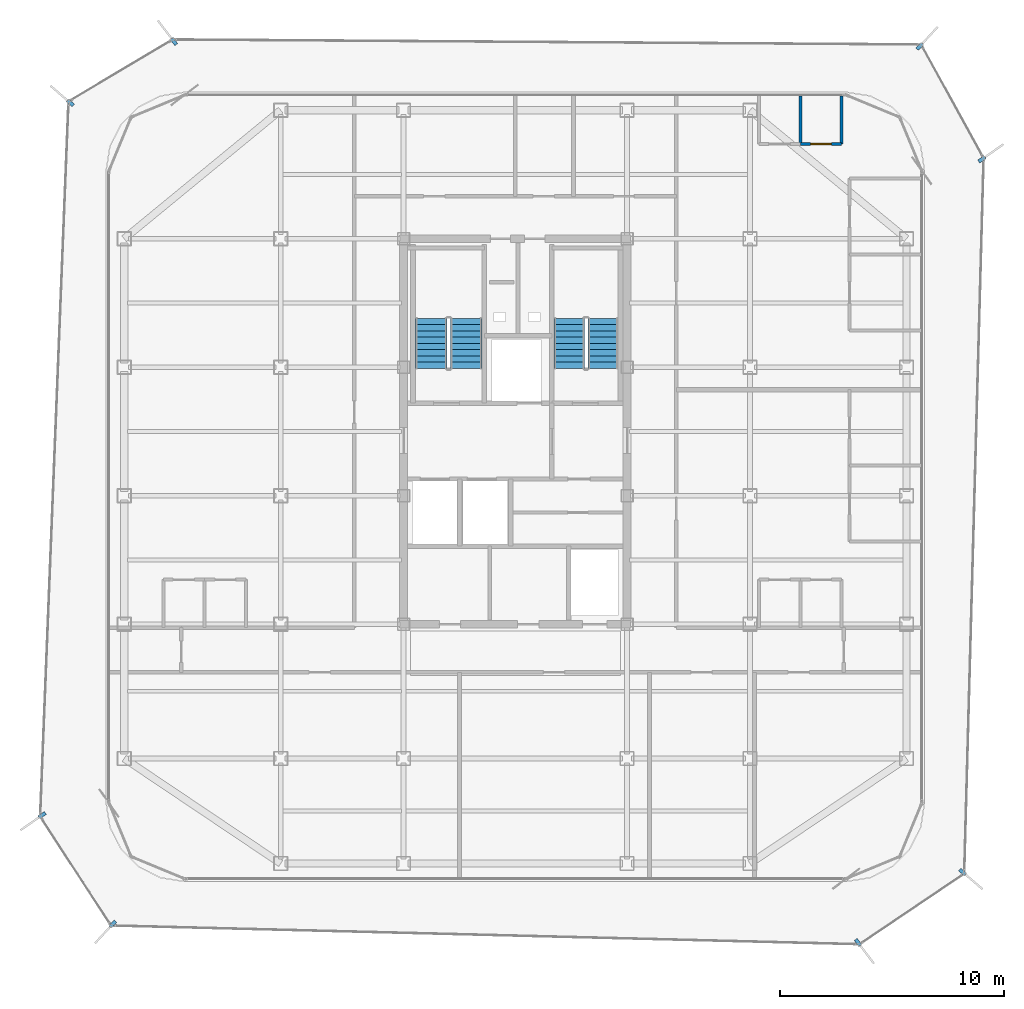
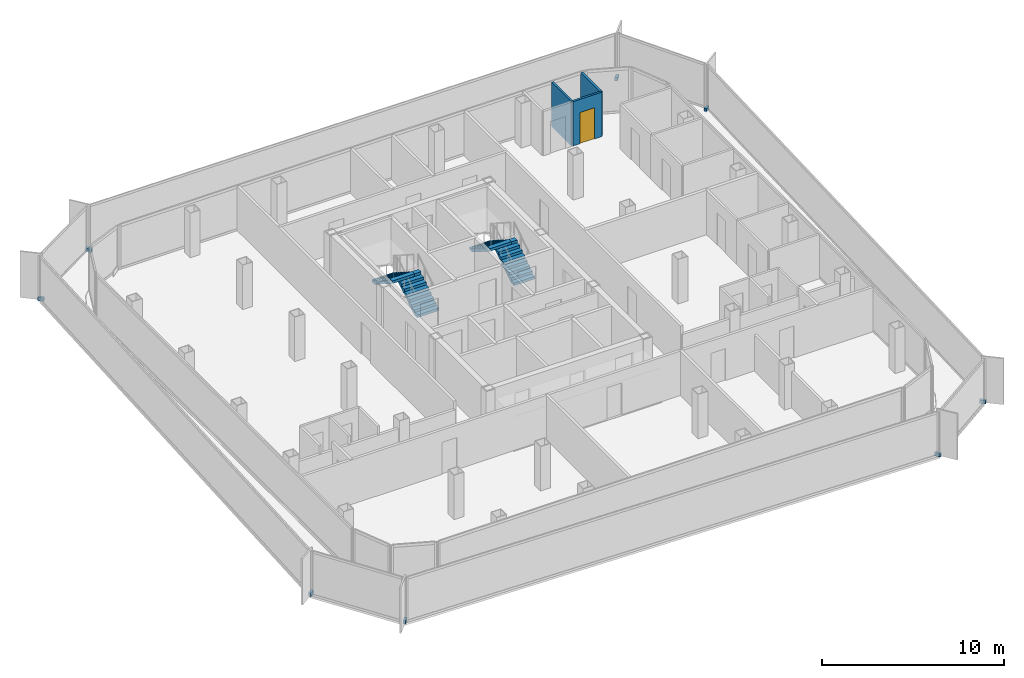
# One storey, part 12 of 15: 8 discrete accessories, 4 stair flights, 3 walls, 1 door, 1 opening, 2 elements without a shape of their own.
"""IFC4 building model written with IfcOpenShell, lengths in metres."""

import ifcopenshell
import ifcopenshell.guid

model = None  # the IFC model being written
_history = None  # IfcOwnerHistory: only IFC2X3 demands one
_inside = {}  # id of a spatial element -> (the spatial element, [elements in it])
_under = {}  # id of a project, library or spatial element -> (it, [spatial elements below it])
_declared = {}  # id of a project -> (the project, [libraries it declares])
_typed = {}  # id of a type object -> (the type object, [elements of that type])
_made_of = {}  # id of a material, layer set ... -> (it, [elements and type objects made of it])


def new_model(schema):
    """Start an empty IFC model of exactly this schema.

    Asked for "IFC4X3", IfcOpenShell would pick the latest addendum, in which some entities
    have other attributes; the version numbers below select the first issue.
    IFC2X3 requires an IfcOwnerHistory on every rooted entity: one is made here for all.
    """
    global model, _history
    if schema == "IFC4X3":
        model = ifcopenshell.file(schema_version=(4, 3, 0, 0))
    else:
        model = ifcopenshell.file(schema=schema)
    _inside.clear()
    _under.clear()
    _declared.clear()
    _typed.clear()
    _made_of.clear()
    _history = None
    if model.schema == "IFC2X3":
        org = make("IfcOrganization", Name="unknown")
        user = make(
            "IfcPersonAndOrganization",
            ThePerson=make("IfcPerson", FamilyName="unknown"),
            TheOrganization=org,
        )
        app = make(
            "IfcApplication",
            ApplicationDeveloper=org,
            Version="unknown",
            ApplicationFullName="unknown",
            ApplicationIdentifier="unknown",
        )
        _history = make(
            "IfcOwnerHistory",
            OwningUser=user,
            OwningApplication=app,
            ChangeAction="ADDED",
            CreationDate=0,
        )
    return model


def make(cls, **values):
    """One entity of the class cls with the attributes given. An attribute that is None is left unset."""
    return model.create_entity(
        cls, **{name: value for name, value in values.items() if value is not None}
    )


def rooted(cls, **values):
    """An entity with a GlobalId (a new one), such as an element, a storey or a relation."""
    return make(cls, GlobalId=ifcopenshell.guid.new(), OwnerHistory=_history, **values)


def si_unit(unit_type, name, prefix=None):
    """IfcSIUnit, for example si_unit("LENGTHUNIT", "METRE", prefix="MILLI")."""
    return make("IfcSIUnit", UnitType=unit_type, Prefix=prefix, Name=name)


def assignment(units):
    """IfcUnitAssignment: the units of a project."""
    return None if units is None else make("IfcUnitAssignment", Units=units)


def point(xyz):
    """IfcCartesianPoint."""
    return None if xyz is None else make("IfcCartesianPoint", Coordinates=xyz)


def direction(xyz):
    """IfcDirection."""
    return None if xyz is None else make("IfcDirection", DirectionRatios=xyz)


def frame(location, z_axis=None, x_axis=None):
    """IfcAxis2Placement3D, a coordinate frame: its origin and axes. An axis left out is left unset."""
    return make(
        "IfcAxis2Placement3D",
        Location=point(location),
        Axis=direction(z_axis),
        RefDirection=direction(x_axis),
    )


def frame_2d(location, x_axis=None):
    """IfcAxis2Placement2D, a coordinate frame in the plane: its origin and x axis."""
    return make(
        "IfcAxis2Placement2D", Location=point(location), RefDirection=direction(x_axis)
    )


def origin():
    """The frame at (0, 0, 0) with its axes left unset."""
    return frame((0.0, 0.0, 0.0))


def origin_2d():
    """The frame at (0, 0) in the plane with its x axis left unset."""
    return frame_2d((0.0, 0.0))


def place(relative_to, where):
    """IfcLocalPlacement: puts the frame where relative to a parent placement (None: the world)."""
    return make(
        "IfcLocalPlacement", PlacementRelTo=relative_to, RelativePlacement=where
    )


def context(
    kind, dimensions, precision=None, world=None, true_north=None, identifier=None
):
    """IfcGeometricRepresentationContext, for example the 3D "Model" context."""
    return make(
        "IfcGeometricRepresentationContext",
        ContextIdentifier=identifier,
        ContextType=kind,
        CoordinateSpaceDimension=dimensions,
        Precision=precision,
        WorldCoordinateSystem=world,
        TrueNorth=true_north,
    )


def subcontext(parent, identifier, kind, view, scale=None):
    """IfcGeometricRepresentationSubContext, for example "Body" below "Model"."""
    return make(
        "IfcGeometricRepresentationSubContext",
        ContextIdentifier=identifier,
        ContextType=kind,
        ParentContext=parent,
        TargetScale=scale,
        TargetView=view,
    )


def project(units=None, contexts=None):
    """IfcProject with its units and contexts."""
    return rooted(
        "IfcProject",
        Name="project",
        RepresentationContexts=contexts,
        UnitsInContext=assignment(units),
    )


def spatial(cls, under=None, at=None, **own):
    """A site, building, storey or space (cls), placed at a placement, below another one or the project."""
    s = rooted(cls, ObjectPlacement=at, **own)
    if under is not None:
        _under.setdefault(under.id(), (under, []))[1].append(s)
    return s


def polyline(points):
    """IfcPolyline through the points."""
    return make("IfcPolyline", Points=[point(p) for p in points])


def profile(cls, at=None, kind="AREA", **sizes):
    """A parametric profile (cls). Its sizes go by their IFC names, for example OverallWidth=200.0."""
    return make(cls, ProfileType=kind, Position=at, **sizes)


def rectangle(**sizes):
    """IfcRectangleProfileDef."""
    return profile("IfcRectangleProfileDef", **sizes)


def outline(outer, holes=None, kind="AREA"):
    """IfcArbitraryClosedProfileDef: a profile drawn as a closed curve; with holes, ...WithVoids."""
    if holes is None:
        return make("IfcArbitraryClosedProfileDef", ProfileType=kind, OuterCurve=outer)
    return make(
        "IfcArbitraryProfileDefWithVoids",
        ProfileType=kind,
        OuterCurve=outer,
        InnerCurves=holes,
    )


def extrude(swept, where, along, depth):
    """IfcExtrudedAreaSolid: the profile swept, set in the frame where, extruded along a direction by depth."""
    return make(
        "IfcExtrudedAreaSolid",
        SweptArea=swept,
        Position=where,
        ExtrudedDirection=direction(along),
        Depth=depth,
    )


def shape(context_of_items, identifier, shape_type, items):
    """IfcShapeRepresentation: the items that make up one representation, for example the "Body"."""
    return make(
        "IfcShapeRepresentation",
        ContextOfItems=context_of_items,
        RepresentationIdentifier=identifier,
        RepresentationType=shape_type,
        Items=items,
    )


def source(mapping_origin, context_of_items, identifier, shape_type, items):
    """IfcRepresentationMap: a shape defined once, which mapped items show again and again."""
    return make(
        "IfcRepresentationMap",
        MappingOrigin=mapping_origin,
        MappedRepresentation=shape(context_of_items, identifier, shape_type, items),
    )


def transform(
    local_origin,
    x_axis=None,
    y_axis=None,
    z_axis=None,
    scale=None,
    scale2=None,
    scale3=None,
    uniform=True,
):
    """IfcCartesianTransformationOperator3D, or its non-uniform kind. x_axis, y_axis, z_axis: its Axis1, 2, 3."""
    if uniform:
        return make(
            "IfcCartesianTransformationOperator3D",
            Axis1=direction(x_axis),
            Axis2=direction(y_axis),
            LocalOrigin=point(local_origin),
            Scale=scale,
            Axis3=direction(z_axis),
        )
    return make(
        "IfcCartesianTransformationOperator3DnonUniform",
        Axis1=direction(x_axis),
        Axis2=direction(y_axis),
        LocalOrigin=point(local_origin),
        Scale=scale,
        Axis3=direction(z_axis),
        Scale2=scale2,
        Scale3=scale3,
    )


def mapped(mapping_source, mapping_target):
    """IfcMappedItem: shows the shape of a source again, moved by a transform."""
    return make(
        "IfcMappedItem", MappingSource=mapping_source, MappingTarget=mapping_target
    )


def material(Name=None, Category=None):
    """IfcMaterial."""
    return make("IfcMaterial", Name=Name, Category=Category)


def layer(
    of_material, thickness, ventilated=None, Name=None, Category=None, Priority=None
):
    """IfcMaterialLayer: one layer of a wall or slab, of a material (None: an air gap)."""
    return make(
        "IfcMaterialLayer",
        Material=of_material,
        LayerThickness=thickness,
        IsVentilated=ventilated,
        Name=Name,
        Category=Category,
        Priority=Priority,
    )


def layer_set(layers, Name=None):
    """IfcMaterialLayerSet."""
    return make("IfcMaterialLayerSet", MaterialLayers=layers, LayerSetName=Name)


def made_of(thing, what):
    """Note that an element or type object is made of a material, layer set ...; save() writes the relation."""
    if what is not None:
        _made_of.setdefault(what.id(), (what, []))[1].append(thing)
    return thing


def type_object(cls, material=None, **own):
    """A type object (cls), such as IfcWallType, which elements share."""
    return made_of(rooted(cls, **own), material)


def element(
    cls,
    number,
    at=None,
    inside=None,
    cuts=None,
    type_object=None,
    material=None,
    context=None,
    identifier="Body",
    shape_type=None,
    held_by="IfcProductDefinitionShape",
    body=None,
    shapes=None,
    **own,
):
    """One element of the class cls, such as IfcWall. Its Tag is "e" and its number.

    at: its placement. inside: the storey or other place that contains it. cuts: it is an
    opening in that element (IfcRelVoidsElement). A single representation is given by context,
    identifier, shape_type and body (its items); several are given by shapes. held_by: the class
    of the entity that holds the representations. save() writes the other relations.
    """
    e = rooted(cls, Tag="e%d" % number, ObjectPlacement=at, **own)
    if body is not None:
        shapes = [shape(context, identifier, shape_type, body)]
    if shapes is not None:
        e.Representation = make(held_by, Representations=shapes)
    if inside is not None:
        _inside.setdefault(inside.id(), (inside, []))[1].append(e)
    if cuts is not None:
        rooted(
            "IfcRelVoidsElement", RelatingBuildingElement=cuts, RelatedOpeningElement=e
        )
    if type_object is not None:
        _typed.setdefault(type_object.id(), (type_object, []))[1].append(e)
    return made_of(e, material)


def fill(opening, filler):
    """IfcRelFillsElement: the door or window that sits in an opening."""
    return rooted(
        "IfcRelFillsElement",
        RelatingOpeningElement=opening,
        RelatedBuildingElement=filler,
    )


def aggregate(whole, parts):
    """IfcRelAggregates: a whole, such as a stair, and the parts it consists of."""
    return rooted("IfcRelAggregates", RelatingObject=whole, RelatedObjects=parts)


def save(model, path):
    """Write the relations noted so far, then the file.

    IfcRelAggregates (storeys below a building ...), IfcRelContainedInSpatialStructure (elements
    in a storey), IfcRelDefinesByType, IfcRelAssociatesMaterial and IfcRelDeclares: one each for
    every whole, place, type object, material and project.
    """
    for whole, parts in _under.values():
        aggregate(whole, parts)
    for where, things in _inside.values():
        rooted(
            "IfcRelContainedInSpatialStructure",
            RelatedElements=things,
            RelatingStructure=where,
        )
    for kind, things in _typed.values():
        rooted("IfcRelDefinesByType", RelatedObjects=things, RelatingType=kind)
    for what, things in _made_of.values():
        rooted("IfcRelAssociatesMaterial", RelatedObjects=things, RelatingMaterial=what)
    for by, libraries in _declared.values():
        rooted("IfcRelDeclares", RelatingContext=by, RelatedDefinitions=libraries)
    model.write(path)


model = new_model("IFC4")

# Units and contexts
model_context = context("Model", 3, precision=1e-05, world=origin(), true_north=direction((0.0, 1.0)))
body_context = subcontext(model_context, "Body", "Model", "MODEL_VIEW")
ifc_project = project(units=[si_unit("LENGTHUNIT", "METRE"), si_unit("AREAUNIT", "SQUARE_METRE"), si_unit("VOLUMEUNIT", "CUBIC_METRE"), si_unit("PLANEANGLEUNIT", "RADIAN"), si_unit("MASSUNIT", "GRAM", prefix="KILO")], contexts=[model_context])

# Site, building, storey
site_placement = place(None, origin())
site = spatial("IfcSite", under=ifc_project, at=site_placement, CompositionType="ELEMENT")
building_placement = place(site_placement, origin())
building = spatial("IfcBuilding", under=site, at=building_placement, Name="Kolveth Station Tower", CompositionType="ELEMENT")
storey_placement = place(building_placement, frame((0.0, 0.0, 268.10009765625)))
storey = spatial("IfcBuildingStorey", under=building, at=storey_placement, Name="L77", CompositionType="ELEMENT", Elevation=268.10009765625)

# Wall, opening, door
ifc_material_1 = material(Name="Moisture-resistant gypsum partition")
ifc_layer_1 = layer(ifc_material_1, 0.135009765625)
ifc_layer_set_1 = layer_set([ifc_layer_1], Name="Moisture-resistant gypsum partition")
wall_type = type_object("IfcWallType", Name="Wall_IW-135", PredefinedType="PARTITIONING", material=ifc_layer_set_1)
wall_placement = place(storey_placement, frame((36.25, 32.989990234375, 0.0), z_axis=(0.0, 0.0, 1.0), x_axis=(1.0, 0.0, 0.0)))
wall = element("IfcWall", 1, at=wall_placement, inside=storey, type_object=wall_type, Name="L77 Partition Wall WL-L77-E2-IBHB", PredefinedType="PARTITIONING", context=body_context, shape_type="SweptSolid", body=[
    extrude(rectangle(XDim=1.85009765625, YDim=0.135009765625, at=frame_2d((0.925048828125, 0.0))), origin(), (0.0, 0.0, 1.0), 2.97998046875),
])
opening_placement = place(wall_placement, frame((0.465087890625, 0.0, 0.0)))
opening = element("IfcOpeningElement", 2, at=opening_placement, cuts=wall, Name="Opening ID2", PredefinedType="OPENING", context=body_context, shape_type="SweptSolid", body=[
    extrude(rectangle(XDim=0.919921875, YDim=2.10009765625, at=frame_2d((0.4599609375, 1.050048828125))), frame((0.0, 0.077392578125, 0.0), z_axis=(0.0, -1.0, 0.0), x_axis=(1.0, 0.0, 0.0)), (0.0, 0.0, 1.0), 0.155029296875),
])
ifc_material_2 = material(Name="Moisture-resistant hardwood leaf", Category="wood")
door_type = type_object("IfcDoorType", Name="Door_ID2", OperationType="NOTDEFINED", PredefinedType="DOOR", material=ifc_material_2)
door_placement = place(opening_placement, frame((0.919921875, 0.0, 0.0), z_axis=(0.0, 0.0, 1.0), x_axis=(-1.0, 0.0, 0.0)))
door = element("IfcDoor", 3, at=door_placement, inside=storey, type_object=door_type, Name="Penthouse Flat L77-E2 Bathroom Door", OperationType="SINGLE_SWING_RIGHT", OverallHeight=2.10009765625, OverallWidth=0.919921875, PredefinedType="DOOR", context=body_context, shape_type="SweptSolid", body=[
    extrude(rectangle(XDim=0.919921875, YDim=2.10009765625, at=frame_2d((0.4599609375, 1.050048828125))), frame((0.0, 0.02490234375, 0.0), z_axis=(0.0, -1.0, 0.0), x_axis=(1.0, 0.0, 0.0)), (0.0, 0.0, 1.0), 0.050048828125),
])
fill(opening, door)

# Walls
for number, where, z_axis, x_axis, name in (
    (4, (36.25, 32.989990234375, 0.0), (0.0, 0.0, 1.0), (0.0, 1.0, 0.0), "L77 Partition Wall WL-L77-E2-IBV1"),
    (5, (38.10009765625, 32.989990234375, 0.0), (0.0, 0.0, 1.0), (0.0, 1.0, 0.0), "L77 Partition Wall WL-L77-E2-IBV2"),
):
    element("IfcWall", number, at=place(storey_placement, frame(where, z_axis=z_axis, x_axis=x_axis)), inside=storey, type_object=wall_type, Name=name, PredefinedType="PARTITIONING", context=body_context, shape_type="SweptSolid", body=[
        extrude(rectangle(XDim=2.14990234375, YDim=0.135009765625, at=frame_2d((1.074951171875, 0.0))), origin(), (0.0, 0.0, 1.0), 2.97998046875),
    ])

# Stair, stair flights
ifc_material_3 = material(Name="Concrete C40/50", Category="concrete")
stair_type_1 = type_object("IfcStairType", Name="Stair_ST1", PredefinedType="HALF_TURN_STAIR", material=ifc_material_3)
stair_1_placement = place(storey_placement, origin())
stair_1 = element("IfcStair", 6, at=stair_1_placement, inside=storey, type_object=stair_type_1, Name="L77 Tower Exit Stair ST1", PredefinedType="HALF_TURN_STAIR")
ifc_layer_2 = layer(ifc_material_3, 0.179931640625)
ifc_layer_set_2 = layer_set([ifc_layer_2], Name="Concrete C40/50")
stair_flight_type_1 = type_object("IfcStairFlightType", Name="Flight_ST1", PredefinedType="STRAIGHT", material=ifc_layer_set_2)
stair_flight_1_placement = place(storey_placement, frame((21.300048828125, 22.949951171875, 0.0), z_axis=(0.0, 0.0, 1.0), x_axis=(0.0, 1.0, 0.0)))
stair_flight_1 = element("IfcStairFlight", 7, at=stair_flight_1_placement, type_object=stair_flight_type_1, Name="ST1 flight 1", NumberOfRisers=9, NumberOfTreads=8, PredefinedType="STRAIGHT", RiserHeight=0.177777778, TreadLength=0.28, context=body_context, shape_type="SweptSolid", body=[
    extrude(outline(polyline([(0.0, 0.0), (0.0, 0.177734375), (0.280029296875, 0.177734375), (0.280029296875, 0.35546875), (0.56005859375, 0.35546875), (0.56005859375, 0.533447265625), (0.840087890625, 0.533447265625), (0.840087890625, 0.711181640625), (1.1201171875, 0.711181640625), (1.1201171875, 0.888916015625), (1.39990234375, 0.888916015625), (1.39990234375, 1.066650390625), (1.679931640625, 1.066650390625), (1.679931640625, 1.244384765625), (1.9599609375, 1.244384765625), (1.9599609375, 1.422119140625), (2.239990234375, 1.422119140625), (2.239990234375, 1.60009765625), (2.239990234375, 1.24462890625), (0.27978515625, 0.0), (0.0, 0.0)])), frame((0.0, 0.699951171875, 0.0), z_axis=(0.0, -1.0, 0.0), x_axis=(1.0, 0.0, 0.0)), (0.0, 0.0, 1.0), 1.39990234375),
])
stair_flight_2_placement = place(storey_placement, frame((19.739990234375, 25.18994140625, 1.599853515625), z_axis=(0.0, 0.0, 1.0), x_axis=(0.0, -1.0, 0.0)))
stair_flight_2 = element("IfcStairFlight", 8, at=stair_flight_2_placement, type_object=stair_flight_type_1, Name="ST1 flight 2", NumberOfRisers=9, NumberOfTreads=8, PredefinedType="STRAIGHT", RiserHeight=0.177777778, TreadLength=0.28, context=body_context, shape_type="SweptSolid", body=[
    extrude(outline(polyline([(0.0, 0.0), (0.0, 0.177734375), (0.280029296875, 0.177734375), (0.280029296875, 0.35546875), (0.56005859375, 0.35546875), (0.56005859375, 0.533447265625), (0.840087890625, 0.533447265625), (0.840087890625, 0.711181640625), (1.1201171875, 0.711181640625), (1.1201171875, 0.888916015625), (1.39990234375, 0.888916015625), (1.39990234375, 1.066650390625), (1.679931640625, 1.066650390625), (1.679931640625, 1.244384765625), (1.9599609375, 1.244384765625), (1.9599609375, 1.422119140625), (2.239990234375, 1.422119140625), (2.239990234375, 1.60009765625), (2.239990234375, 1.24462890625), (0.27978515625, 0.0), (0.0, 0.0)])), frame((0.0, 0.699951171875, 0.0), z_axis=(0.0, -1.0, 0.0), x_axis=(1.0, 0.0, 0.0)), (0.0, 0.0, 1.0), 1.39990234375),
])
aggregate(stair_1, [stair_flight_1, stair_flight_2])

stair_type_2 = type_object("IfcStairType", Name="Stair_ST2", PredefinedType="HALF_TURN_STAIR", material=ifc_material_3)
stair_2_placement = place(storey_placement, origin())
stair_2 = element("IfcStair", 9, at=stair_2_placement, inside=storey, type_object=stair_type_2, Name="L77 Tower Exit Stair ST2", PredefinedType="HALF_TURN_STAIR")
ifc_layer_3 = layer(ifc_material_3, 0.179931640625)
ifc_layer_set_3 = layer_set([ifc_layer_3], Name="Concrete C40/50")
stair_flight_type_2 = type_object("IfcStairFlightType", Name="Flight_ST2", PredefinedType="STRAIGHT", material=ifc_layer_set_3)
stair_flight_3_placement = place(storey_placement, frame((27.425048828125, 22.949951171875, 0.0), z_axis=(0.0, 0.0, 1.0), x_axis=(0.0, 1.0, 0.0)))
stair_flight_3 = element("IfcStairFlight", 10, at=stair_flight_3_placement, type_object=stair_flight_type_2, Name="ST2 flight 1", NumberOfRisers=9, NumberOfTreads=8, PredefinedType="STRAIGHT", RiserHeight=0.177777778, TreadLength=0.28, context=body_context, shape_type="SweptSolid", body=[
    extrude(outline(polyline([(0.0, 0.0), (0.0, 0.177734375), (0.280029296875, 0.177734375), (0.280029296875, 0.35546875), (0.56005859375, 0.35546875), (0.56005859375, 0.533447265625), (0.840087890625, 0.533447265625), (0.840087890625, 0.711181640625), (1.1201171875, 0.711181640625), (1.1201171875, 0.888916015625), (1.39990234375, 0.888916015625), (1.39990234375, 1.066650390625), (1.679931640625, 1.066650390625), (1.679931640625, 1.244384765625), (1.9599609375, 1.244384765625), (1.9599609375, 1.422119140625), (2.239990234375, 1.422119140625), (2.239990234375, 1.60009765625), (2.239990234375, 1.24462890625), (0.27978515625, 0.0), (0.0, 0.0)])), frame((0.0, 0.675048828125, 0.0), z_axis=(0.0, -1.0, 0.0), x_axis=(1.0, 0.0, 0.0)), (0.0, 0.0, 1.0), 1.35009765625),
])
stair_flight_4_placement = place(storey_placement, frame((25.9150390625, 25.18994140625, 1.599853515625), z_axis=(0.0, 0.0, 1.0), x_axis=(0.0, -1.0, 0.0)))
stair_flight_4 = element("IfcStairFlight", 11, at=stair_flight_4_placement, type_object=stair_flight_type_2, Name="ST2 flight 2", NumberOfRisers=9, NumberOfTreads=8, PredefinedType="STRAIGHT", RiserHeight=0.177777778, TreadLength=0.28, context=body_context, shape_type="SweptSolid", body=[
    extrude(outline(polyline([(0.0, 0.0), (0.0, 0.177734375), (0.280029296875, 0.177734375), (0.280029296875, 0.35546875), (0.56005859375, 0.35546875), (0.56005859375, 0.533447265625), (0.840087890625, 0.533447265625), (0.840087890625, 0.711181640625), (1.1201171875, 0.711181640625), (1.1201171875, 0.888916015625), (1.39990234375, 0.888916015625), (1.39990234375, 1.066650390625), (1.679931640625, 1.066650390625), (1.679931640625, 1.244384765625), (1.9599609375, 1.244384765625), (1.9599609375, 1.422119140625), (2.239990234375, 1.422119140625), (2.239990234375, 1.60009765625), (2.239990234375, 1.24462890625), (0.27978515625, 0.0), (0.0, 0.0)])), frame((0.0, 0.675048828125, 0.0), z_axis=(0.0, -1.0, 0.0), x_axis=(1.0, 0.0, 0.0)), (0.0, 0.0, 1.0), 1.35009765625),
])
aggregate(stair_2, [stair_flight_3, stair_flight_4])

# Discrete accessories
ifc_material_4 = material(Name="Steel S355", Category="steel")
discrete_accessory_type = type_object("IfcDiscreteAccessoryType", Name="Bracket_BK1", PredefinedType="BRACKET", material=ifc_material_4)
shared_shape = source(origin(), body_context, "Body", "SweptSolid", [
    extrude(rectangle(XDim=0.35009765625, YDim=0.159912109375, at=origin_2d()), origin(), (0.0, 0.0, 1.0), 0.219970703125),
])
for number, where, z_axis, x_axis, name in (
    (12, (38.833984375, -2.739013671875, -0.06005859375), (0.0, 0.0, 1.0), (0.601117853128, -0.799160388565, 0.0), "L77 Double-Skin Radial Tie Bracket 1"),
    (13, (43.513916015625, 0.4150390625, -0.06005859375), (0.0, 0.0, 1.0), (0.757792794364, -0.652495272634, 0.0), "L77 Double-Skin Radial Tie Bracket 2"),
    (14, (44.375, 32.302001953125, -0.06005859375), (0.0, 0.0, 1.0), (0.818450677307, 0.574576791052, 0.0), "L77 Double-Skin Radial Tie Bracket 3"),
    (15, (41.596923828125, 37.35791015625, -0.06005859375), (0.0, 0.0, 1.0), (0.676361912062, 0.736569456271, 0.0), "L77 Double-Skin Radial Tie Bracket 4"),
    (16, (8.22412109375, 37.575927734375, -0.06005859375), (0.0, 0.0, 1.0), (-0.608484459368, 0.793565789779, 0.0), "L77 Double-Skin Radial Tie Bracket 5"),
    (17, (3.592041015625, 34.823974609375, -0.06005859375), (0.0, 0.0, 1.0), (-0.757223096347, 0.653156323064, 0.0), "L77 Double-Skin Radial Tie Bracket 6"),
    (18, (2.330078125, 2.9609375, -0.06005859375), (0.0, 0.0, 1.0), (-0.821547442226, -0.570140158358, 0.0), "L77 Double-Skin Radial Tie Bracket 7"),
    (19, (5.489013671875, -1.908935546875, -0.06005859375), (0.0, 0.0, 1.0), (-0.677389697402, -0.735624359204, 0.0), "L77 Double-Skin Radial Tie Bracket 8"),
):
    element("IfcDiscreteAccessory", number, at=place(storey_placement, frame(where, z_axis=z_axis, x_axis=x_axis)), inside=storey, type_object=discrete_accessory_type, Name=name, PredefinedType="BRACKET", context=body_context, shape_type="MappedRepresentation", body=[
        mapped(shared_shape, transform((0.0, 0.0, 0.0), x_axis=(1.0, 0.0, 0.0), y_axis=(0.0, 1.0, 0.0), z_axis=(0.0, 0.0, 1.0), scale=1.0)),
    ])

save(model, "model.ifc")
